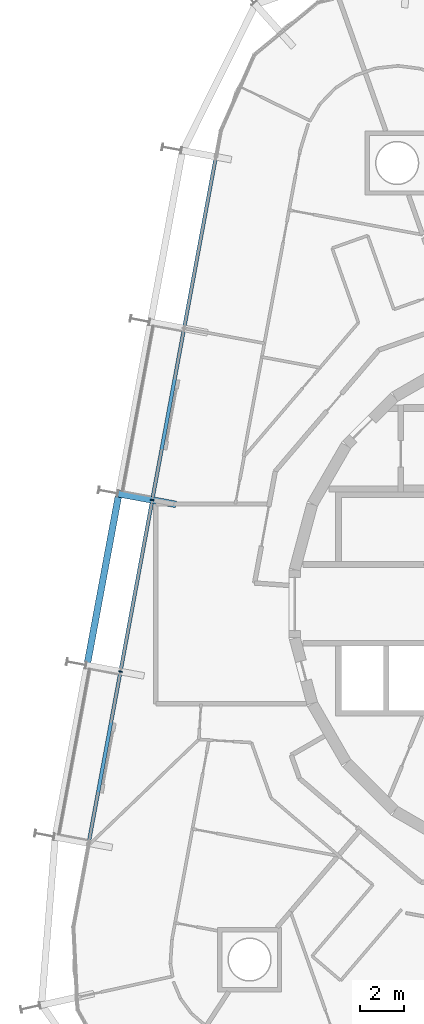
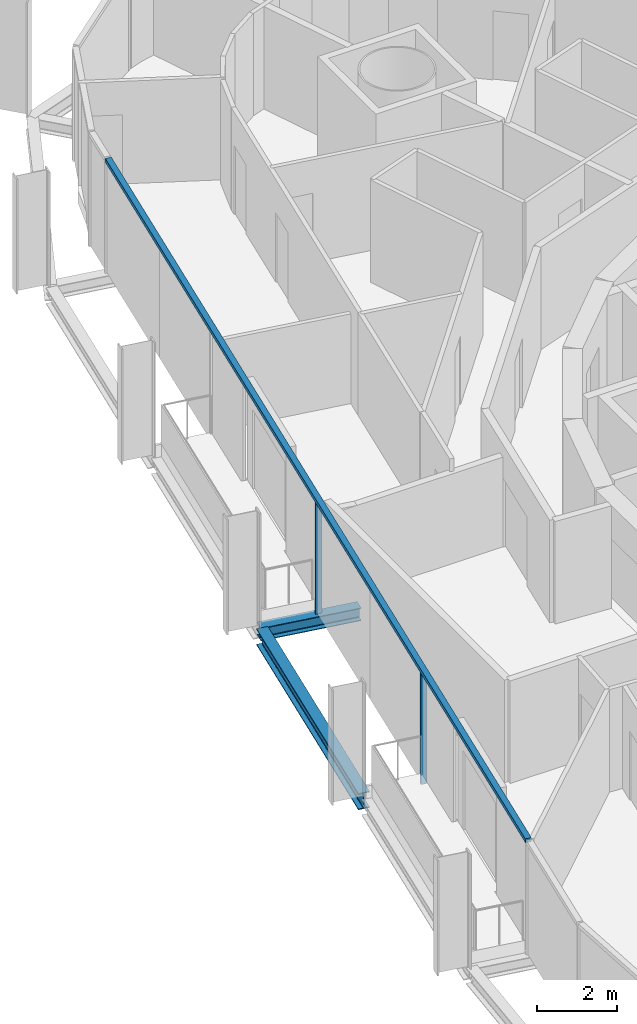
# One storey, part 4 of 17: 3 members, 2 beams, 1 element without a shape of its own.
"""IFC4 building model written with IfcOpenShell, lengths in metres."""

from ifc_helpers import new_model, si_unit, direction, frame, origin, origin_2d, place, context, subcontext, project, spatial, rectangle, i_section, extrude, material, layer, layer_set, material_profile, profile_set, type_object, element, aggregate, save


model = new_model("IFC4")

# Units and contexts
model_context = context("Model", 3, precision=1e-05, world=origin(), true_north=direction((0.0, 1.0)))
body_context = subcontext(model_context, "Body", "Model", "MODEL_VIEW")
ifc_project = project(units=[si_unit("LENGTHUNIT", "METRE"), si_unit("AREAUNIT", "SQUARE_METRE"), si_unit("VOLUMEUNIT", "CUBIC_METRE"), si_unit("PLANEANGLEUNIT", "RADIAN"), si_unit("MASSUNIT", "GRAM", prefix="KILO")], contexts=[model_context])

# Site, building, storey
site_placement = place(None, origin())
site = spatial("IfcSite", under=ifc_project, at=site_placement, CompositionType="ELEMENT")
building_placement = place(site_placement, origin())
building = spatial("IfcBuilding", under=site, at=building_placement, Name="Spindle Arch Residences", CompositionType="ELEMENT")
storey_placement = place(building_placement, frame((0.0, 0.0, 176.199951171875)))
storey = spatial("IfcBuildingStorey", under=building, at=storey_placement, Name="L44", CompositionType="ELEMENT", Elevation=176.199951171875)

# Curtain wall, members
ifc_material_1 = material(Name="Aluminium bronze unitised frame with tinted glass", Category="aluminium")
ifc_layer = layer(ifc_material_1, 0.159912109375)
ifc_layer_set = layer_set([ifc_layer], Name="CW-C typical residential unitised wall")
curtain_wall_type = type_object("IfcCurtainWallType", Name="CW-C typical residential unitised wall", PredefinedType="NOTDEFINED", material=ifc_layer_set)
curtain_wall_placement = place(storey_placement, origin())
curtain_wall = element("IfcCurtainWall", 1, at=curtain_wall_placement, inside=storey, type_object=curtain_wall_type, Name="CW-C L44 run 4", PredefinedType="NOTDEFINED")
ifc_material_2 = material(Name="Aluminium bronze anodised mullion", Category="aluminium")
ifc_material_profile_1 = material_profile(ifc_material_2, rectangle(XDim=0.159912109375, YDim=0.06005859375, at=origin_2d()), Name="MU 60x160")
ifc_profile_set_1 = profile_set([ifc_material_profile_1], Name="Aluminium bronze anodised mullion")
member_type_1 = type_object("IfcMemberType", Name="Bronze mullion 60x160", PredefinedType="MULLION", material=ifc_profile_set_1)
member_1_placement = place(storey_placement, frame((-18.0625, 4.679931640625, -0.3798828125), z_axis=(0.0, 0.0, 1.0), x_axis=(0.983254907564, -0.182235525492, 0.0)))
member_1 = element("IfcMember", 2, at=member_1_placement, type_object=member_type_1, Name="CW-C mullion 14", PredefinedType="MULLION", context=body_context, shape_type="SweptSolid", body=[
    extrude(rectangle(XDim=0.159912109375, YDim=0.06005859375, at=origin_2d()), origin(), (0.0, 0.0, 1.0), 3.3798828125),
])
member_2_placement = place(storey_placement, frame((-19.494873046875, -3.04833984375, -0.3798828125), z_axis=(0.0, 0.0, 1.0), x_axis=(0.983254907564, -0.182235525492, 0.0)))
member_2 = element("IfcMember", 3, at=member_2_placement, type_object=member_type_1, Name="CW-C mullion 15", PredefinedType="MULLION", context=body_context, shape_type="SweptSolid", body=[
    extrude(rectangle(XDim=0.159912109375, YDim=0.06005859375, at=origin_2d()), origin(), (0.0, 0.0, 1.0), 3.3798828125),
])
ifc_material_3 = material(Name="Aluminium bronze anodised transom", Category="aluminium")
ifc_material_profile_2 = material_profile(ifc_material_3, rectangle(XDim=0.159912109375, YDim=0.1201171875, at=origin_2d()), Name="TR 120x160")
ifc_profile_set_2 = profile_set([ifc_material_profile_2], Name="Aluminium bronze anodised transom")
member_type_2 = type_object("IfcMemberType", Name="Bronze transom 120x160", PredefinedType="USERDEFINED", material=ifc_profile_set_2)
member_3_placement = place(storey_placement, frame((-15.203125, 20.107421875, 3.06005859375), z_axis=(-0.182240536166, -0.983253978877, 0.0), x_axis=(0.983253978877, -0.182240536166, 0.0)))
member_3 = element("IfcMember", 4, at=member_3_placement, type_object=member_type_2, Name="CW-C transom 00", ObjectType="TRANSOM", PredefinedType="USERDEFINED", context=body_context, shape_type="SweptSolid", body=[
    extrude(rectangle(XDim=0.159912109375, YDim=0.1201171875, at=origin_2d()), origin(), (0.0, 0.0, 1.0), 31.380126953125),
])
aggregate(curtain_wall, [member_3, member_1, member_2])

# Beams
ifc_material_4 = material(Name="Steel S460ML, intumescent coating R 120", Category="steel")
ifc_material_profile_3 = material_profile(ifc_material_4, i_section(OverallWidth=0.300048828125, OverallDepth=0.5, WebThickness=0.014404296875, FlangeThickness=0.028076171875, FilletRadius=0.027099609375, at=origin_2d()), Name="HEB 500")
ifc_profile_set_3 = profile_set([ifc_material_profile_3], Name="Steel S460ML, intumescent coating R 120")
beam_type_1 = type_object("IfcBeamType", Name="Exoskeleton edge beam HEB 500", PredefinedType="BEAM", material=ifc_profile_set_3)
beam_1_placement = place(storey_placement, frame((-19.590576171875, 4.8310546875, -0.6298828125), z_axis=(-0.182234195466, -0.983255154069, 0.0), x_axis=(0.983255154069, -0.182234195466, 0.0)))
element("IfcBeam", 5, at=beam_1_placement, inside=storey, type_object=beam_type_1, Name="Exoskeleton edge beam 15", PredefinedType="BEAM", context=body_context, shape_type="SweptSolid", body=[
    extrude(i_section(OverallWidth=0.300048828125, OverallDepth=0.5, WebThickness=0.014404296875, FlangeThickness=0.028076171875, FilletRadius=0.027099609375, at=origin_2d()), origin(), (0.0, 0.0, 1.0), 7.60009765625),
])
ifc_material_5 = material(Name="Steel S460ML, intumescent coating R 120", Category="steel")
ifc_material_profile_4 = material_profile(ifc_material_5, i_section(OverallWidth=0.300048828125, OverallDepth=0.389892578125, WebThickness=0.010986328125, FlangeThickness=0.01904296875, FilletRadius=0.027099609375, at=origin_2d()), Name="HEA 400")
ifc_profile_set_4 = profile_set([ifc_material_profile_4], Name="Steel S460ML, intumescent coating R 120")
beam_type_2 = type_object("IfcBeamType", Name="Floor outrigger HEA 400", PredefinedType="BEAM", material=ifc_profile_set_4)
beam_2_placement = place(storey_placement, frame((-19.606201171875, 4.966064453125, -0.574951171875), z_axis=(0.98325694826, -0.182224514537, 0.0), x_axis=(0.182224514537, 0.98325694826, 0.0)))
element("IfcBeam", 6, at=beam_2_placement, inside=storey, type_object=beam_type_2, Name="Floor outrigger 15", PredefinedType="BEAM", context=body_context, shape_type="SweptSolid", body=[
    extrude(i_section(OverallWidth=0.300048828125, OverallDepth=0.389892578125, WebThickness=0.010986328125, FlangeThickness=0.01904296875, FilletRadius=0.027099609375, at=origin_2d()), origin(), (0.0, 0.0, 1.0), 2.650146484375),
])

save(model, "model.ifc")
